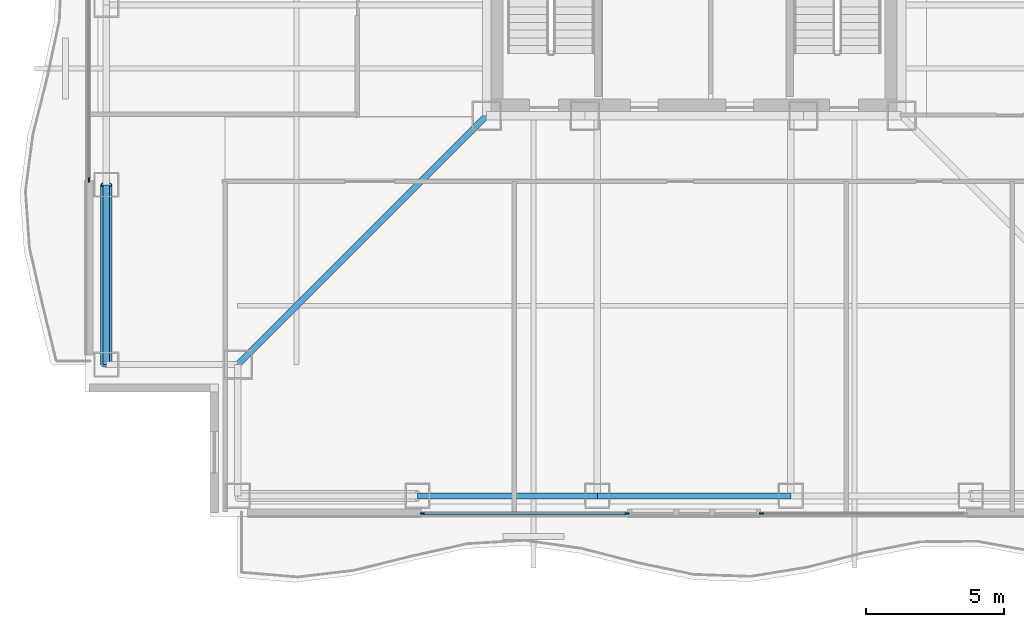
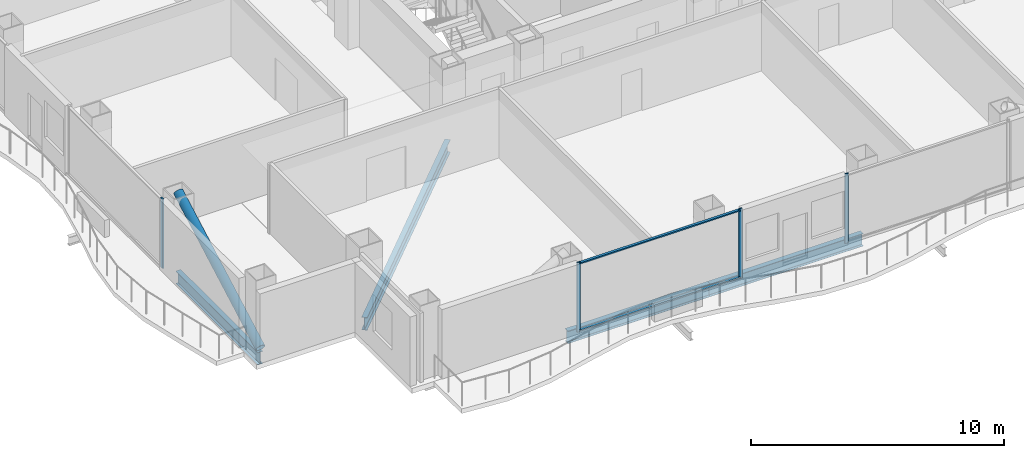
# One storey, part 2 of 18: 7 members, 4 beams, 3 elements without a shape of their own.
"""IFC4 building model written with IfcOpenShell, lengths in metres."""

from ifc_helpers import new_model, si_unit, direction, frame, origin, origin_2d, place, context, subcontext, project, spatial, rectangle, hollow_circle, i_section, extrude, material, layer, layer_set, material_profile, profile_set, type_object, element, aggregate, save


model = new_model("IFC4")

# Units and contexts
model_context = context("Model", 3, precision=1e-05, world=origin(), true_north=direction((0.0, 1.0)))
body_context = subcontext(model_context, "Body", "Model", "MODEL_VIEW")
ifc_project = project(units=[si_unit("LENGTHUNIT", "METRE"), si_unit("AREAUNIT", "SQUARE_METRE"), si_unit("VOLUMEUNIT", "CUBIC_METRE"), si_unit("PLANEANGLEUNIT", "RADIAN"), si_unit("MASSUNIT", "GRAM", prefix="KILO")], contexts=[model_context])

# Site, building, storey
site_placement = place(None, origin())
site = spatial("IfcSite", under=ifc_project, at=site_placement, CompositionType="ELEMENT")
building_placement = place(site_placement, origin())
building = spatial("IfcBuilding", under=site, at=building_placement, Name="Trevonay Congress Spire", CompositionType="ELEMENT")
storey_placement = place(building_placement, frame((0.0, 0.0, 122.800048828125)))
storey = spatial("IfcBuildingStorey", under=building, at=storey_placement, Name="L31", CompositionType="ELEMENT", Elevation=122.800048828125)

# Beams
ifc_material_1 = material(Name="Steel ASTM A572 Grade 50", Category="steel")
ifc_material_profile_1 = material_profile(ifc_material_1, i_section(OverallWidth=0.22998046875, OverallDepth=0.616943359375, WebThickness=0.01318359375, FlangeThickness=0.022216796875, FilletRadius=0.01611328125, at=origin_2d()), Name="W610x140")
ifc_profile_set_1 = profile_set([ifc_material_profile_1], Name="Steel ASTM A572 Grade 50")
beam_type_1 = type_object("IfcBeamType", Name="BM-GIRD-W610X140", PredefinedType="BEAM", material=ifc_profile_set_1)
beam_1_placement = place(storey_placement, frame((-7.5, -7.5, -0.548583984375), z_axis=(-0.707106781187, -0.707106781187, 0.0), x_axis=(0.707106781187, -0.707106781187, 0.0)))
element("IfcBeam", 1, at=beam_1_placement, inside=storey, type_object=beam_type_1, Name="L31 structural beam BM-L31-CDSW", PredefinedType="BEAM", context=body_context, shape_type="SweptSolid", body=[
    extrude(i_section(OverallWidth=0.22998046875, OverallDepth=0.616943359375, WebThickness=0.01318359375, FlangeThickness=0.022216796875, FilletRadius=0.01611328125, at=origin_2d()), origin(), (0.0, 0.0, 1.0), 12.72802734375),
])
ifc_material_profile_2 = material_profile(ifc_material_1, i_section(OverallWidth=0.22802734375, OverallDepth=0.60791015625, WebThickness=0.01123046875, FlangeThickness=0.017333984375, FilletRadius=0.01611328125, at=origin_2d()), Name="W610x113")
ifc_profile_set_2 = profile_set([ifc_material_profile_2], Name="Steel ASTM A572 Grade 50")
beam_type_2 = type_object("IfcBeamType", Name="BM-RING-W610X113", PredefinedType="BEAM", material=ifc_profile_set_2)
for number, where, z_axis, x_axis, name in (
    (2, (-21.25, -16.5, -0.5439453125), (0.0, 1.0, 0.0), (-1.0, 0.0, 0.0), "L31 structural beam BM-L31-PW1"),
    (3, (-10.0, -21.25, -0.5439453125), (1.0, 0.0, 0.0), (0.0, 1.0, 0.0), "L31 structural beam BM-L31-PS2"),
):
    element("IfcBeam", number, at=place(storey_placement, frame(where, z_axis=z_axis, x_axis=x_axis)), inside=storey, type_object=beam_type_2, Name=name, PredefinedType="BEAM", context=body_context, shape_type="SweptSolid", body=[
        extrude(i_section(OverallWidth=0.22802734375, OverallDepth=0.60791015625, WebThickness=0.01123046875, FlangeThickness=0.017333984375, FilletRadius=0.01611328125, at=origin_2d()), origin(), (0.0, 0.0, 1.0), 6.5),
    ])
beam_2_placement = place(storey_placement, frame((-3.5, -21.25, -0.5439453125), z_axis=(1.0, 0.0, 0.0), x_axis=(0.0, 1.0, 0.0)))
element("IfcBeam", 4, at=beam_2_placement, inside=storey, type_object=beam_type_2, Name="L31 structural beam BM-L31-PS3", PredefinedType="BEAM", context=body_context, shape_type="SweptSolid", body=[
    extrude(i_section(OverallWidth=0.22802734375, OverallDepth=0.60791015625, WebThickness=0.01123046875, FlangeThickness=0.017333984375, FilletRadius=0.01611328125, at=origin_2d()), origin(), (0.0, 0.0, 1.0), 7.0),
])

# Curtain wall, members
ifc_material_2 = material(Name="Pale Anodised Aluminium EN AW-6063-T6", Category="aluminium")
ifc_layer = layer(ifc_material_2, 0.175048828125, Name="Pale Anodised Aluminium EN AW-6063-T6")
ifc_layer_set = layer_set([ifc_layer], Name="Pale Anodised Aluminium EN AW-6063-T6")
curtain_wall_type = type_object("IfcCurtainWallType", Name="CW-SYS03-CONGRESS-PALE-METAL", PredefinedType="NOTDEFINED", material=ifc_layer_set)
curtain_wall_1_placement = place(storey_placement, origin())
curtain_wall_1 = element("IfcCurtainWall", 5, at=curtain_wall_1_placement, inside=storey, type_object=curtain_wall_type, Name="L31 SA unitised curtain wall", PredefinedType="NOTDEFINED")
ifc_material_profile_3 = material_profile(ifc_material_2, rectangle(XDim=0.06005859375, YDim=0.159912109375, at=origin_2d()), Name="CW-MULLION-160-ALUMINIUM")
ifc_profile_set_3 = profile_set([ifc_material_profile_3], Name="Pale Anodised Aluminium EN AW-6063-T6")
member_type_1 = type_object("IfcMemberType", Name="CW-MULLION-160-ALUMINIUM", PredefinedType="MULLION", material=ifc_profile_set_3)
member_1_placement = place(storey_placement, frame((-9.820068359375, -21.8798828125, 0.0), z_axis=(0.0, 0.0, 1.0), x_axis=(0.0, 1.0, 0.0)))
member_1 = element("IfcMember", 6, at=member_1_placement, type_object=member_type_1, Name="CW03 mullion 1", PredefinedType="MULLION", context=body_context, shape_type="SweptSolid", body=[
    extrude(rectangle(XDim=0.06005859375, YDim=0.159912109375, at=origin_2d()), origin(), (0.0, 0.0, 1.0), 3.35986328125),
])
member_2_placement = place(storey_placement, frame((-2.429931640625, -21.8798828125, 0.0), z_axis=(0.0, 0.0, 1.0), x_axis=(0.0, 1.0, 0.0)))
member_2 = element("IfcMember", 7, at=member_2_placement, type_object=member_type_1, Name="CW03 mullion 2", PredefinedType="MULLION", context=body_context, shape_type="SweptSolid", body=[
    extrude(rectangle(XDim=0.06005859375, YDim=0.159912109375, at=origin_2d()), origin(), (0.0, 0.0, 1.0), 3.35986328125),
])

# Curtain wall, member
curtain_wall_2_placement = place(storey_placement, origin())
curtain_wall_2 = element("IfcCurtainWall", 8, at=curtain_wall_2_placement, inside=storey, type_object=curtain_wall_type, Name="L31 SB unitised curtain wall", PredefinedType="NOTDEFINED")
member_3_placement = place(storey_placement, frame((2.429931640625, -21.8798828125, 0.0), z_axis=(0.0, 0.0, 1.0), x_axis=(0.0, 1.0, 0.0)))
member_3 = element("IfcMember", 9, at=member_3_placement, type_object=member_type_1, Name="CW03 mullion 1", PredefinedType="MULLION", context=body_context, shape_type="SweptSolid", body=[
    extrude(rectangle(XDim=0.06005859375, YDim=0.159912109375, at=origin_2d()), origin(), (0.0, 0.0, 1.0), 3.35986328125),
])
aggregate(curtain_wall_2, [member_3])

curtain_wall_3_placement = place(storey_placement, origin())
curtain_wall_3 = element("IfcCurtainWall", 10, at=curtain_wall_3_placement, inside=storey, type_object=curtain_wall_type, Name="L31 WA unitised curtain wall", PredefinedType="NOTDEFINED")
member_4_placement = place(storey_placement, frame((-21.8798828125, -9.820068359375, 0.0), z_axis=(0.0, 0.0, 1.0), x_axis=(-1.0, 0.0, 0.0)))
member_4 = element("IfcMember", 11, at=member_4_placement, type_object=member_type_1, Name="CW03 mullion 1", PredefinedType="MULLION", context=body_context, shape_type="SweptSolid", body=[
    extrude(rectangle(XDim=0.06005859375, YDim=0.159912109375, at=origin_2d()), origin(), (0.0, 0.0, 1.0), 3.35986328125),
])
aggregate(curtain_wall_3, [member_4])

# Member
ifc_material_profile_4 = material_profile(ifc_material_2, rectangle(XDim=0.1201171875, YDim=0.06005859375, at=origin_2d()), Name="CW-TRANSOM-120-ALUMINIUM")
ifc_profile_set_4 = profile_set([ifc_material_profile_4], Name="Pale Anodised Aluminium EN AW-6063-T6")
member_type_2 = type_object("IfcMemberType", Name="CW-TRANSOM-120-ALUMINIUM", PredefinedType="USERDEFINED", material=ifc_profile_set_4)
member_5_placement = place(storey_placement, frame((-9.7900390625, -21.8798828125, 0.06005859375), z_axis=(1.0, 0.0, 0.0), x_axis=(0.0, 1.0, 0.0)))
member_5 = element("IfcMember", 12, at=member_5_placement, type_object=member_type_2, Name="CW03 transom 1.1", ObjectType="TRANSOM", PredefinedType="USERDEFINED", context=body_context, shape_type="SweptSolid", body=[
    extrude(rectangle(XDim=0.1201171875, YDim=0.06005859375, at=origin_2d()), origin(), (0.0, 0.0, 1.0), 7.330078125),
])

member_6_placement = place(storey_placement, frame((-9.7900390625, -21.8798828125, 3.300048828125), z_axis=(1.0, 0.0, 0.0), x_axis=(0.0, 1.0, 0.0)))
member_6 = element("IfcMember", 13, at=member_6_placement, type_object=member_type_2, Name="CW03 transom 1.2", ObjectType="TRANSOM", PredefinedType="USERDEFINED", context=body_context, shape_type="SweptSolid", body=[
    extrude(rectangle(XDim=0.1201171875, YDim=0.06005859375, at=origin_2d()), origin(), (0.0, 0.0, 1.0), 7.330078125),
])

aggregate(curtain_wall_1, [member_1, member_2, member_5, member_6])

ifc_material_3 = material(Name="Steel ASTM A500 Grade C", Category="steel")
ifc_material_profile_5 = material_profile(ifc_material_3, hollow_circle(Radius=0.203125, WallThickness=0.02001953125, at=origin_2d()), Name="CHS 406.4x20")
ifc_profile_set_5 = profile_set([ifc_material_profile_5], Name="Steel ASTM A500 Grade C")
member_type_3 = type_object("IfcMemberType", Name="MBR-TUBE-CHS406", PredefinedType="BRACE", material=ifc_profile_set_5)
member_7_placement = place(storey_placement, frame((-21.25, -16.5, -0.050048828125), z_axis=(0.0, 0.874785785626, 0.484509885623), x_axis=(-1.0, 0.0, 0.0)))
element("IfcMember", 14, at=member_7_placement, inside=storey, type_object=member_type_3, Name="L31 perimeter braced-tube diagonal W0", PredefinedType="BRACE", context=body_context, shape_type="SweptSolid", body=[
    extrude(hollow_circle(Radius=0.203125, WallThickness=0.02001953125, at=origin_2d()), origin(), (0.0, 0.0, 1.0), 7.430419921875),
])

save(model, "model.ifc")
